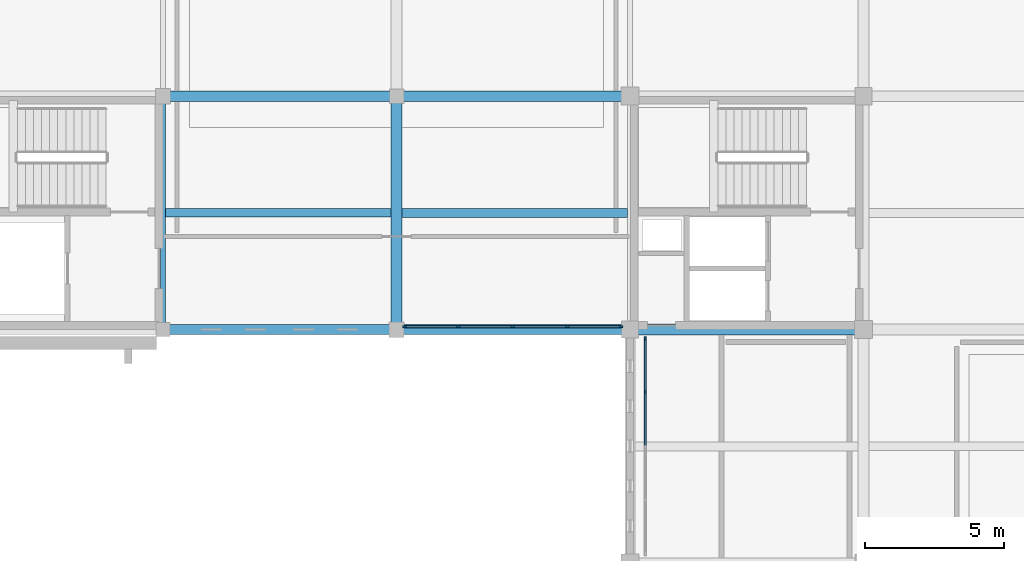
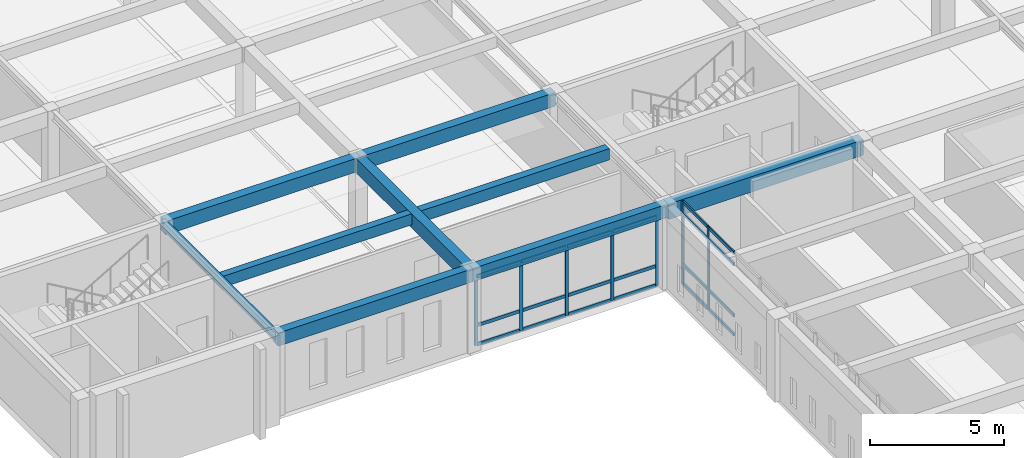
# One storey, part 16 of 47: 27 members, 9 beams, 2 elements without a shape of their own.
"""IFC4 building model written with IfcOpenShell, lengths in metres."""

from ifc_helpers import new_model, si_unit, direction, frame, origin, origin_2d, place, context, subcontext, project, spatial, rectangle, i_section, extrude, material, layer, layer_set, material_profile, profile_set, type_object, element, aggregate, save


model = new_model("IFC4")

# Units and contexts
model_context = context("Model", 3, precision=1e-05, world=origin(), true_north=direction((0.0, 1.0)))
body_context = subcontext(model_context, "Body", "Model", "MODEL_VIEW")
ifc_project = project(units=[si_unit("LENGTHUNIT", "METRE"), si_unit("AREAUNIT", "SQUARE_METRE"), si_unit("VOLUMEUNIT", "CUBIC_METRE"), si_unit("PLANEANGLEUNIT", "RADIAN"), si_unit("MASSUNIT", "GRAM", prefix="KILO")], contexts=[model_context])

# Site, building, storey
site_placement = place(None, origin())
site = spatial("IfcSite", under=ifc_project, at=site_placement, CompositionType="ELEMENT")
building_placement = place(site_placement, origin())
building = spatial("IfcBuilding", under=site, at=building_placement, Name="Kveldsbrygga Polytechnic", CompositionType="ELEMENT")
storey_placement = place(building_placement, frame((0.0, 0.0, 13.93994140625)))
storey = spatial("IfcBuildingStorey", under=building, at=storey_placement, Name="L03", CompositionType="ELEMENT", Elevation=13.93994140625)

# Beams
ifc_material_1 = material(Name="Concrete C35/45", Category="concrete")
ifc_material_profile_1 = material_profile(ifc_material_1, rectangle(XDim=0.3798828125, YDim=0.6201171875, at=origin_2d()), Name="RC 380x620")
ifc_profile_set_1 = profile_set([ifc_material_profile_1], Name="Concrete C35/45")
beam_type_1 = type_object("IfcBeamType", Name="BM-RC-380x620", PredefinedType="BEAM", material=ifc_profile_set_1)
beam_1_placement = place(storey_placement, frame((109.199951171875, 92.39990234375, 3.43994140625), z_axis=(1.0, 0.0, 0.0), x_axis=(0.0, 1.0, 0.0)))
element("IfcBeam", 1, at=beam_1_placement, inside=storey, type_object=beam_type_1, Name="Primary Beam BMX-L03-13to14-11", PredefinedType="BEAM", context=body_context, shape_type="SweptSolid", body=[
    extrude(rectangle(XDim=0.3798828125, YDim=0.6201171875, at=origin_2d()), origin(), (0.0, 0.0, 1.0), 8.400146484375),
])
beam_2_placement = place(storey_placement, frame((117.60009765625, 92.39990234375, 3.43994140625), z_axis=(1.0, 0.0, 0.0), x_axis=(0.0, 1.0, 0.0)))
element("IfcBeam", 2, at=beam_2_placement, inside=storey, type_object=beam_type_1, Name="Primary Beam BMX-L03-14to15-11", PredefinedType="BEAM", context=body_context, shape_type="SweptSolid", body=[
    extrude(rectangle(XDim=0.3798828125, YDim=0.6201171875, at=origin_2d()), origin(), (0.0, 0.0, 1.0), 8.39990234375),
])
ifc_material_profile_2 = material_profile(ifc_material_1, rectangle(XDim=0.39990234375, YDim=0.64990234375, at=origin_2d()), Name="RC 400x650")
ifc_profile_set_2 = profile_set([ifc_material_profile_2], Name="Concrete C35/45")
beam_type_2 = type_object("IfcBeamType", Name="BM-RC-400x650", PredefinedType="BEAM", material=ifc_profile_set_2)
beam_3_placement = place(storey_placement, frame((117.60009765625, 84.0, 3.425048828125), z_axis=(0.0, 1.0, 0.0), x_axis=(-1.0, 0.0, 0.0)))
element("IfcBeam", 3, at=beam_3_placement, inside=storey, type_object=beam_type_2, Name="Primary Beam BMY-L03-14-10to11", PredefinedType="BEAM", context=body_context, shape_type="SweptSolid", body=[
    extrude(rectangle(XDim=0.39990234375, YDim=0.64990234375, at=origin_2d()), origin(), (0.0, 0.0, 1.0), 8.39990234375),
])
ifc_material_profile_3 = material_profile(ifc_material_1, rectangle(XDim=0.39990234375, YDim=0.699951171875, at=origin_2d()), Name="RC 400x700")
ifc_profile_set_3 = profile_set([ifc_material_profile_3], Name="Concrete C35/45")
beam_type_3 = type_object("IfcBeamType", Name="BM-RC-400x700", PredefinedType="BEAM", material=ifc_profile_set_3)
beam_4_placement = place(storey_placement, frame((126.0, 84.0, 3.400146484375), z_axis=(1.0, 0.0, 0.0), x_axis=(0.0, 1.0, 0.0)))
element("IfcBeam", 4, at=beam_4_placement, inside=storey, type_object=beam_type_3, Name="Primary Beam BMX-L03-15to16-10", PredefinedType="BEAM", context=body_context, shape_type="SweptSolid", body=[
    extrude(rectangle(XDim=0.39990234375, YDim=0.699951171875, at=origin_2d()), origin(), (0.0, 0.0, 1.0), 8.39990234375),
])
ifc_material_profile_4 = material_profile(ifc_material_1, rectangle(XDim=0.35009765625, YDim=0.60009765625, at=origin_2d()), Name="RC 350x600")
ifc_profile_set_4 = profile_set([ifc_material_profile_4], Name="Concrete C35/45")
beam_type_4 = type_object("IfcBeamType", Name="BM-SPANDREL-600", PredefinedType="T_BEAM", material=ifc_profile_set_4)
beam_5_placement = place(storey_placement, frame((109.199951171875, 84.0, 3.449951171875), z_axis=(1.0, 0.0, 0.0), x_axis=(0.0, 1.0, 0.0)))
element("IfcBeam", 5, at=beam_5_placement, inside=storey, type_object=beam_type_4, Name="Primary Beam BMX-L03-13to14-10", PredefinedType="T_BEAM", context=body_context, shape_type="SweptSolid", body=[
    extrude(rectangle(XDim=0.35009765625, YDim=0.60009765625, at=origin_2d()), origin(), (0.0, 0.0, 1.0), 8.400146484375),
])
beam_6_placement = place(storey_placement, frame((117.60009765625, 84.0, 3.449951171875), z_axis=(1.0, 0.0, 0.0), x_axis=(0.0, 1.0, 0.0)))
element("IfcBeam", 6, at=beam_6_placement, inside=storey, type_object=beam_type_4, Name="Primary Beam BMX-L03-14to15-10", PredefinedType="T_BEAM", context=body_context, shape_type="SweptSolid", body=[
    extrude(rectangle(XDim=0.35009765625, YDim=0.60009765625, at=origin_2d()), origin(), (0.0, 0.0, 1.0), 8.39990234375),
])
ifc_material_2 = material(Name="Steel S355", Category="steel")
ifc_material_profile_5 = material_profile(ifc_material_2, i_section(OverallWidth=0.179931640625, OverallDepth=0.39990234375, WebThickness=0.008544921875, FlangeThickness=0.013427734375, FilletRadius=0.02099609375, at=origin_2d()), Name="IPE 400")
ifc_profile_set_5 = profile_set([ifc_material_profile_5], Name="Steel S355")
beam_type_5 = type_object("IfcBeamType", Name="BM-STL-IPE400", PredefinedType="BEAM", material=ifc_profile_set_5)
beam_7_placement = place(storey_placement, frame((109.199951171875, 84.0, 3.550048828125), z_axis=(0.0, 1.0, 0.0), x_axis=(-1.0, 0.0, 0.0)))
element("IfcBeam", 7, at=beam_7_placement, inside=storey, type_object=beam_type_5, Name="Primary Beam BMY-L03-13-10to11", PredefinedType="BEAM", context=body_context, shape_type="SweptSolid", body=[
    extrude(i_section(OverallWidth=0.179931640625, OverallDepth=0.39990234375, WebThickness=0.008544921875, FlangeThickness=0.013427734375, FilletRadius=0.02099609375, at=origin_2d()), origin(), (0.0, 0.0, 1.0), 8.39990234375),
])

# Curtain wall, members
ifc_material_3 = material(Name="Anodised aluminium AW-6060", Category="aluminium")
ifc_layer = layer(ifc_material_3, 0.199951171875)
ifc_layer_set = layer_set([ifc_layer], Name="Anodised aluminium AW-6060")
curtain_wall_type = type_object("IfcCurtainWallType", Name="CW-LANC-E", PredefinedType="USERDEFINED", material=ifc_layer_set)
curtain_wall_1_placement = place(storey_placement, origin())
curtain_wall_1 = element("IfcCurtainWall", 8, at=curtain_wall_1_placement, inside=storey, type_object=curtain_wall_type, Name="Curtain Wall CW-L03-X-14-10", ObjectType="UNITISED CURTAIN WALL", PredefinedType="USERDEFINED")
ifc_material_profile_6 = material_profile(ifc_material_3, rectangle(XDim=0.06005859375, YDim=0.139892578125, at=origin_2d()), Name="ALU 60x140")
ifc_profile_set_6 = profile_set([ifc_material_profile_6], Name="Anodised aluminium AW-6060")
member_type_1 = type_object("IfcMemberType", Name="CW-MUL-140", PredefinedType="MULLION", material=ifc_profile_set_6)
member_1_placement = place(storey_placement, frame((117.889892578125, 84.10009765625, 0.0), z_axis=(0.0, 0.0, 1.0), x_axis=(0.0, 1.0, 0.0)))
member_1 = element("IfcMember", 9, at=member_1_placement, type_object=member_type_1, Name="CW-05 mullion 1", PredefinedType="MULLION", context=body_context, shape_type="SweptSolid", body=[
    extrude(rectangle(XDim=0.06005859375, YDim=0.139892578125, at=origin_2d()), origin(), (0.0, 0.0, 1.0), 3.150146484375),
])
member_2_placement = place(storey_placement, frame((119.8212890625, 84.10009765625, 0.0), z_axis=(0.0, 0.0, 1.0), x_axis=(0.0, 1.0, 0.0)))
member_2 = element("IfcMember", 10, at=member_2_placement, type_object=member_type_1, Name="CW-05 mullion 2", PredefinedType="MULLION", context=body_context, shape_type="SweptSolid", body=[
    extrude(rectangle(XDim=0.06005859375, YDim=0.139892578125, at=origin_2d()), origin(), (0.0, 0.0, 1.0), 3.150146484375),
])
member_3_placement = place(storey_placement, frame((121.782470703125, 84.10009765625, 0.0), z_axis=(0.0, 0.0, 1.0), x_axis=(0.0, 1.0, 0.0)))
member_3 = element("IfcMember", 11, at=member_3_placement, type_object=member_type_1, Name="CW-05 mullion 3", PredefinedType="MULLION", context=body_context, shape_type="SweptSolid", body=[
    extrude(rectangle(XDim=0.06005859375, YDim=0.139892578125, at=origin_2d()), origin(), (0.0, 0.0, 1.0), 3.150146484375),
])
member_4_placement = place(storey_placement, frame((123.74365234375, 84.10009765625, 0.0), z_axis=(0.0, 0.0, 1.0), x_axis=(0.0, 1.0, 0.0)))
member_4 = element("IfcMember", 12, at=member_4_placement, type_object=member_type_1, Name="CW-05 mullion 4", PredefinedType="MULLION", context=body_context, shape_type="SweptSolid", body=[
    extrude(rectangle(XDim=0.06005859375, YDim=0.139892578125, at=origin_2d()), origin(), (0.0, 0.0, 1.0), 3.150146484375),
])
member_5_placement = place(storey_placement, frame((125.675048828125, 84.10009765625, 0.0), z_axis=(0.0, 0.0, 1.0), x_axis=(0.0, 1.0, 0.0)))
member_5 = element("IfcMember", 13, at=member_5_placement, type_object=member_type_1, Name="CW-05 mullion 5", PredefinedType="MULLION", context=body_context, shape_type="SweptSolid", body=[
    extrude(rectangle(XDim=0.06005859375, YDim=0.139892578125, at=origin_2d()), origin(), (0.0, 0.0, 1.0), 3.150146484375),
])

curtain_wall_2_placement = place(storey_placement, origin())
curtain_wall_2 = element("IfcCurtainWall", 14, at=curtain_wall_2_placement, inside=storey, type_object=curtain_wall_type, Name="Curtain Wall CW-L03-Y-15-09", ObjectType="UNITISED CURTAIN WALL", PredefinedType="USERDEFINED")
member_6_placement = place(storey_placement, frame((126.550048828125, 81.75634765625, 0.0), z_axis=(0.0, 0.0, 1.0), x_axis=(-1.0, 0.0, 0.0)))
member_6 = element("IfcMember", 15, at=member_6_placement, type_object=member_type_1, Name="CW-05 mullion 4", PredefinedType="MULLION", context=body_context, shape_type="SweptSolid", body=[
    extrude(rectangle(XDim=0.06005859375, YDim=0.139892578125, at=origin_2d()), origin(), (0.0, 0.0, 1.0), 3.780029296875),
])
member_7_placement = place(storey_placement, frame((126.550048828125, 83.675048828125, 0.0), z_axis=(0.0, 0.0, 1.0), x_axis=(-1.0, 0.0, 0.0)))
member_7 = element("IfcMember", 16, at=member_7_placement, type_object=member_type_1, Name="CW-05 mullion 5", PredefinedType="MULLION", context=body_context, shape_type="SweptSolid", body=[
    extrude(rectangle(XDim=0.06005859375, YDim=0.139892578125, at=origin_2d()), origin(), (0.0, 0.0, 1.0), 3.780029296875),
])

# Member
ifc_material_profile_7 = material_profile(ifc_material_3, rectangle(XDim=0.06005859375, YDim=0.14990234375, at=origin_2d()), Name="ALU 60x150")
ifc_profile_set_7 = profile_set([ifc_material_profile_7], Name="Anodised aluminium AW-6060")
member_type_2 = type_object("IfcMemberType", Name="CW-TRN-150", PredefinedType="USERDEFINED", material=ifc_profile_set_7)
member_8_placement = place(storey_placement, frame((117.919921875, 84.10009765625, 0.030029296875), z_axis=(1.0, 0.0, 0.0), x_axis=(0.0, 1.0, 0.0)))
member_8 = element("IfcMember", 17, at=member_8_placement, type_object=member_type_2, Name="CW-05 transom 1.1", ObjectType="TRANSOM", PredefinedType="USERDEFINED", context=body_context, shape_type="SweptSolid", body=[
    extrude(rectangle(XDim=0.06005859375, YDim=0.14990234375, at=origin_2d()), origin(), (0.0, 0.0, 1.0), 1.871337890625),
])

member_9_placement = place(storey_placement, frame((117.919921875, 84.10009765625, 0.900146484375), z_axis=(1.0, 0.0, 0.0), x_axis=(0.0, 1.0, 0.0)))
member_9 = element("IfcMember", 18, at=member_9_placement, type_object=member_type_2, Name="CW-05 transom 1.2", ObjectType="TRANSOM", PredefinedType="USERDEFINED", context=body_context, shape_type="SweptSolid", body=[
    extrude(rectangle(XDim=0.06005859375, YDim=0.14990234375, at=origin_2d()), origin(), (0.0, 0.0, 1.0), 1.871337890625),
])

member_10_placement = place(storey_placement, frame((117.919921875, 84.10009765625, 3.1201171875), z_axis=(1.0, 0.0, 0.0), x_axis=(0.0, 1.0, 0.0)))
member_10 = element("IfcMember", 19, at=member_10_placement, type_object=member_type_2, Name="CW-05 transom 1.3", ObjectType="TRANSOM", PredefinedType="USERDEFINED", context=body_context, shape_type="SweptSolid", body=[
    extrude(rectangle(XDim=0.06005859375, YDim=0.14990234375, at=origin_2d()), origin(), (0.0, 0.0, 1.0), 1.871337890625),
])

member_11_placement = place(storey_placement, frame((119.851318359375, 84.10009765625, 0.030029296875), z_axis=(1.0, 0.0, 0.0), x_axis=(0.0, 1.0, 0.0)))
member_11 = element("IfcMember", 20, at=member_11_placement, type_object=member_type_2, Name="CW-05 transom 2.1", ObjectType="TRANSOM", PredefinedType="USERDEFINED", context=body_context, shape_type="SweptSolid", body=[
    extrude(rectangle(XDim=0.06005859375, YDim=0.14990234375, at=origin_2d()), origin(), (0.0, 0.0, 1.0), 1.901123046875),
])

member_12_placement = place(storey_placement, frame((119.851318359375, 84.10009765625, 0.900146484375), z_axis=(1.0, 0.0, 0.0), x_axis=(0.0, 1.0, 0.0)))
member_12 = element("IfcMember", 21, at=member_12_placement, type_object=member_type_2, Name="CW-05 transom 2.2", ObjectType="TRANSOM", PredefinedType="USERDEFINED", context=body_context, shape_type="SweptSolid", body=[
    extrude(rectangle(XDim=0.06005859375, YDim=0.14990234375, at=origin_2d()), origin(), (0.0, 0.0, 1.0), 1.901123046875),
])

member_13_placement = place(storey_placement, frame((119.851318359375, 84.10009765625, 3.1201171875), z_axis=(1.0, 0.0, 0.0), x_axis=(0.0, 1.0, 0.0)))
member_13 = element("IfcMember", 22, at=member_13_placement, type_object=member_type_2, Name="CW-05 transom 2.3", ObjectType="TRANSOM", PredefinedType="USERDEFINED", context=body_context, shape_type="SweptSolid", body=[
    extrude(rectangle(XDim=0.06005859375, YDim=0.14990234375, at=origin_2d()), origin(), (0.0, 0.0, 1.0), 1.901123046875),
])

member_14_placement = place(storey_placement, frame((121.8125, 84.10009765625, 0.030029296875), z_axis=(1.0, 0.0, 0.0), x_axis=(0.0, 1.0, 0.0)))
member_14 = element("IfcMember", 23, at=member_14_placement, type_object=member_type_2, Name="CW-05 transom 3.1", ObjectType="TRANSOM", PredefinedType="USERDEFINED", context=body_context, shape_type="SweptSolid", body=[
    extrude(rectangle(XDim=0.06005859375, YDim=0.14990234375, at=origin_2d()), origin(), (0.0, 0.0, 1.0), 1.9013671875),
])

member_15_placement = place(storey_placement, frame((121.8125, 84.10009765625, 0.900146484375), z_axis=(1.0, 0.0, 0.0), x_axis=(0.0, 1.0, 0.0)))
member_15 = element("IfcMember", 24, at=member_15_placement, type_object=member_type_2, Name="CW-05 transom 3.2", ObjectType="TRANSOM", PredefinedType="USERDEFINED", context=body_context, shape_type="SweptSolid", body=[
    extrude(rectangle(XDim=0.06005859375, YDim=0.14990234375, at=origin_2d()), origin(), (0.0, 0.0, 1.0), 1.9013671875),
])

member_16_placement = place(storey_placement, frame((121.8125, 84.10009765625, 3.1201171875), z_axis=(1.0, 0.0, 0.0), x_axis=(0.0, 1.0, 0.0)))
member_16 = element("IfcMember", 25, at=member_16_placement, type_object=member_type_2, Name="CW-05 transom 3.3", ObjectType="TRANSOM", PredefinedType="USERDEFINED", context=body_context, shape_type="SweptSolid", body=[
    extrude(rectangle(XDim=0.06005859375, YDim=0.14990234375, at=origin_2d()), origin(), (0.0, 0.0, 1.0), 1.9013671875),
])

member_17_placement = place(storey_placement, frame((123.773681640625, 84.10009765625, 0.030029296875), z_axis=(1.0, 0.0, 0.0), x_axis=(0.0, 1.0, 0.0)))
member_17 = element("IfcMember", 26, at=member_17_placement, type_object=member_type_2, Name="CW-05 transom 4.1", ObjectType="TRANSOM", PredefinedType="USERDEFINED", context=body_context, shape_type="SweptSolid", body=[
    extrude(rectangle(XDim=0.06005859375, YDim=0.14990234375, at=origin_2d()), origin(), (0.0, 0.0, 1.0), 1.871337890625),
])

member_18_placement = place(storey_placement, frame((123.773681640625, 84.10009765625, 0.900146484375), z_axis=(1.0, 0.0, 0.0), x_axis=(0.0, 1.0, 0.0)))
member_18 = element("IfcMember", 27, at=member_18_placement, type_object=member_type_2, Name="CW-05 transom 4.2", ObjectType="TRANSOM", PredefinedType="USERDEFINED", context=body_context, shape_type="SweptSolid", body=[
    extrude(rectangle(XDim=0.06005859375, YDim=0.14990234375, at=origin_2d()), origin(), (0.0, 0.0, 1.0), 1.871337890625),
])

member_19_placement = place(storey_placement, frame((123.773681640625, 84.10009765625, 3.1201171875), z_axis=(1.0, 0.0, 0.0), x_axis=(0.0, 1.0, 0.0)))
member_19 = element("IfcMember", 28, at=member_19_placement, type_object=member_type_2, Name="CW-05 transom 4.3", ObjectType="TRANSOM", PredefinedType="USERDEFINED", context=body_context, shape_type="SweptSolid", body=[
    extrude(rectangle(XDim=0.06005859375, YDim=0.14990234375, at=origin_2d()), origin(), (0.0, 0.0, 1.0), 1.871337890625),
])

aggregate(curtain_wall_1, [member_1, member_2, member_3, member_4, member_5, member_8, member_9, member_10, member_11, member_12, member_13, member_14, member_15, member_16, member_17, member_18, member_19])

member_20_placement = place(storey_placement, frame((126.550048828125, 79.83740234375, 0.030029296875), z_axis=(0.0, 1.0, 0.0), x_axis=(-1.0, 0.0, 0.0)))
member_20 = element("IfcMember", 29, at=member_20_placement, type_object=member_type_2, Name="CW-05 transom 3.1", ObjectType="TRANSOM", PredefinedType="USERDEFINED", context=body_context, shape_type="SweptSolid", body=[
    extrude(rectangle(XDim=0.06005859375, YDim=0.14990234375, at=origin_2d()), origin(), (0.0, 0.0, 1.0), 1.888916015625),
])

member_21_placement = place(storey_placement, frame((126.550048828125, 79.83740234375, 0.900146484375), z_axis=(0.0, 1.0, 0.0), x_axis=(-1.0, 0.0, 0.0)))
member_21 = element("IfcMember", 30, at=member_21_placement, type_object=member_type_2, Name="CW-05 transom 3.2", ObjectType="TRANSOM", PredefinedType="USERDEFINED", context=body_context, shape_type="SweptSolid", body=[
    extrude(rectangle(XDim=0.06005859375, YDim=0.14990234375, at=origin_2d()), origin(), (0.0, 0.0, 1.0), 1.888916015625),
])

member_22_placement = place(storey_placement, frame((126.550048828125, 79.83740234375, 3.22998046875), z_axis=(0.0, 1.0, 0.0), x_axis=(-1.0, 0.0, 0.0)))
member_22 = element("IfcMember", 31, at=member_22_placement, type_object=member_type_2, Name="CW-05 transom 3.3", ObjectType="TRANSOM", PredefinedType="USERDEFINED", context=body_context, shape_type="SweptSolid", body=[
    extrude(rectangle(XDim=0.06005859375, YDim=0.14990234375, at=origin_2d()), origin(), (0.0, 0.0, 1.0), 1.888916015625),
])

member_23_placement = place(storey_placement, frame((126.550048828125, 79.83740234375, 3.75), z_axis=(0.0, 1.0, 0.0), x_axis=(-1.0, 0.0, 0.0)))
member_23 = element("IfcMember", 32, at=member_23_placement, type_object=member_type_2, Name="CW-05 transom 3.4", ObjectType="TRANSOM", PredefinedType="USERDEFINED", context=body_context, shape_type="SweptSolid", body=[
    extrude(rectangle(XDim=0.06005859375, YDim=0.14990234375, at=origin_2d()), origin(), (0.0, 0.0, 1.0), 1.888916015625),
])

member_24_placement = place(storey_placement, frame((126.550048828125, 81.7861328125, 0.030029296875), z_axis=(0.0, 1.0, 0.0), x_axis=(-1.0, 0.0, 0.0)))
member_24 = element("IfcMember", 33, at=member_24_placement, type_object=member_type_2, Name="CW-05 transom 4.1", ObjectType="TRANSOM", PredefinedType="USERDEFINED", context=body_context, shape_type="SweptSolid", body=[
    extrude(rectangle(XDim=0.06005859375, YDim=0.14990234375, at=origin_2d()), origin(), (0.0, 0.0, 1.0), 1.85888671875),
])

member_25_placement = place(storey_placement, frame((126.550048828125, 81.7861328125, 0.900146484375), z_axis=(0.0, 1.0, 0.0), x_axis=(-1.0, 0.0, 0.0)))
member_25 = element("IfcMember", 34, at=member_25_placement, type_object=member_type_2, Name="CW-05 transom 4.2", ObjectType="TRANSOM", PredefinedType="USERDEFINED", context=body_context, shape_type="SweptSolid", body=[
    extrude(rectangle(XDim=0.06005859375, YDim=0.14990234375, at=origin_2d()), origin(), (0.0, 0.0, 1.0), 1.85888671875),
])

member_26_placement = place(storey_placement, frame((126.550048828125, 81.7861328125, 3.22998046875), z_axis=(0.0, 1.0, 0.0), x_axis=(-1.0, 0.0, 0.0)))
member_26 = element("IfcMember", 35, at=member_26_placement, type_object=member_type_2, Name="CW-05 transom 4.3", ObjectType="TRANSOM", PredefinedType="USERDEFINED", context=body_context, shape_type="SweptSolid", body=[
    extrude(rectangle(XDim=0.06005859375, YDim=0.14990234375, at=origin_2d()), origin(), (0.0, 0.0, 1.0), 1.85888671875),
])

member_27_placement = place(storey_placement, frame((126.550048828125, 81.7861328125, 3.75), z_axis=(0.0, 1.0, 0.0), x_axis=(-1.0, 0.0, 0.0)))
member_27 = element("IfcMember", 36, at=member_27_placement, type_object=member_type_2, Name="CW-05 transom 4.4", ObjectType="TRANSOM", PredefinedType="USERDEFINED", context=body_context, shape_type="SweptSolid", body=[
    extrude(rectangle(XDim=0.06005859375, YDim=0.14990234375, at=origin_2d()), origin(), (0.0, 0.0, 1.0), 1.85888671875),
])

aggregate(curtain_wall_2, [member_6, member_7, member_20, member_21, member_22, member_23, member_24, member_25, member_26, member_27])

# Beams
ifc_material_profile_8 = material_profile(ifc_material_1, rectangle(XDim=0.300048828125, YDim=0.5, at=origin_2d()), Name="RC 300x500")
ifc_profile_set_8 = profile_set([ifc_material_profile_8], Name="Concrete C35/45")
beam_type_6 = type_object("IfcBeamType", Name="JST-RC-300x500", PredefinedType="JOIST", material=ifc_profile_set_8)
beam_8_placement = place(storey_placement, frame((109.2900390625, 88.199951171875, 3.5), z_axis=(1.0, 0.0, 0.0), x_axis=(0.0, 1.0, 0.0)))
element("IfcBeam", 37, at=beam_8_placement, inside=storey, type_object=beam_type_6, Name="Secondary Joist JST-L03-13-10", PredefinedType="JOIST", context=body_context, shape_type="SweptSolid", body=[
    extrude(rectangle(XDim=0.300048828125, YDim=0.5, at=origin_2d()), origin(), (0.0, 0.0, 1.0), 8.10986328125),
])
ifc_material_profile_9 = material_profile(ifc_material_1, rectangle(XDim=0.320068359375, YDim=0.52001953125, at=origin_2d()), Name="RC 320x520")
ifc_profile_set_9 = profile_set([ifc_material_profile_9], Name="Concrete C35/45")
beam_type_7 = type_object("IfcBeamType", Name="JST-RC-320x520", PredefinedType="JOIST", material=ifc_profile_set_9)
beam_9_placement = place(storey_placement, frame((117.800048828125, 88.199951171875, 3.489990234375), z_axis=(1.0, 0.0, 0.0), x_axis=(0.0, 1.0, 0.0)))
element("IfcBeam", 38, at=beam_9_placement, inside=storey, type_object=beam_type_7, Name="Secondary Joist JST-L03-14-10", PredefinedType="JOIST", context=body_context, shape_type="SweptSolid", body=[
    extrude(rectangle(XDim=0.320068359375, YDim=0.52001953125, at=origin_2d()), origin(), (0.0, 0.0, 1.0), 8.10986328125),
])

save(model, "model.ifc")
